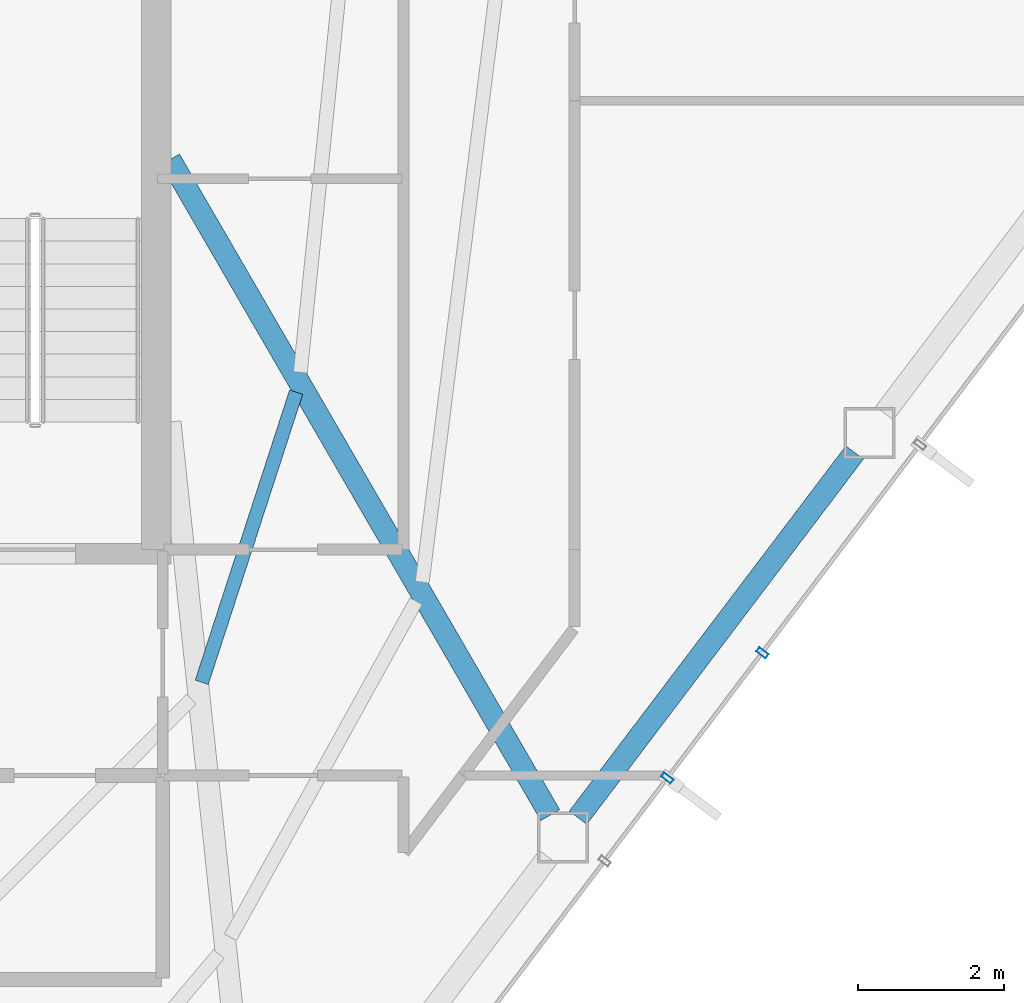
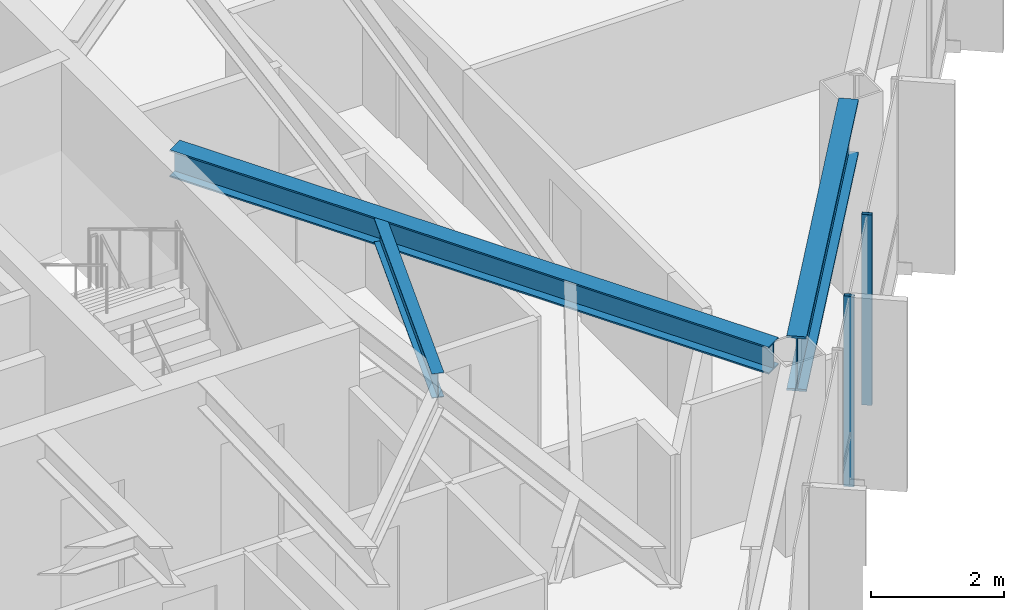
# One storey, part 18 of 27: 3 beams, 2 members, 1 element without a shape of its own.
"""IFC4 building model written with IfcOpenShell, lengths in metres."""

import ifcopenshell
import ifcopenshell.guid

model = None  # the IFC model being written
_history = None  # IfcOwnerHistory: only IFC2X3 demands one
_inside = {}  # id of a spatial element -> (the spatial element, [elements in it])
_under = {}  # id of a project, library or spatial element -> (it, [spatial elements below it])
_declared = {}  # id of a project -> (the project, [libraries it declares])
_typed = {}  # id of a type object -> (the type object, [elements of that type])
_made_of = {}  # id of a material, layer set ... -> (it, [elements and type objects made of it])


def new_model(schema):
    """Start an empty IFC model of exactly this schema.

    Asked for "IFC4X3", IfcOpenShell would pick the latest addendum, in which some entities
    have other attributes; the version numbers below select the first issue.
    IFC2X3 requires an IfcOwnerHistory on every rooted entity: one is made here for all.
    """
    global model, _history
    if schema == "IFC4X3":
        model = ifcopenshell.file(schema_version=(4, 3, 0, 0))
    else:
        model = ifcopenshell.file(schema=schema)
    _inside.clear()
    _under.clear()
    _declared.clear()
    _typed.clear()
    _made_of.clear()
    _history = None
    if model.schema == "IFC2X3":
        org = make("IfcOrganization", Name="unknown")
        user = make(
            "IfcPersonAndOrganization",
            ThePerson=make("IfcPerson", FamilyName="unknown"),
            TheOrganization=org,
        )
        app = make(
            "IfcApplication",
            ApplicationDeveloper=org,
            Version="unknown",
            ApplicationFullName="unknown",
            ApplicationIdentifier="unknown",
        )
        _history = make(
            "IfcOwnerHistory",
            OwningUser=user,
            OwningApplication=app,
            ChangeAction="ADDED",
            CreationDate=0,
        )
    return model


def make(cls, **values):
    """One entity of the class cls with the attributes given. An attribute that is None is left unset."""
    return model.create_entity(
        cls, **{name: value for name, value in values.items() if value is not None}
    )


def rooted(cls, **values):
    """An entity with a GlobalId (a new one), such as an element, a storey or a relation."""
    return make(cls, GlobalId=ifcopenshell.guid.new(), OwnerHistory=_history, **values)


def si_unit(unit_type, name, prefix=None):
    """IfcSIUnit, for example si_unit("LENGTHUNIT", "METRE", prefix="MILLI")."""
    return make("IfcSIUnit", UnitType=unit_type, Prefix=prefix, Name=name)


def assignment(units):
    """IfcUnitAssignment: the units of a project."""
    return None if units is None else make("IfcUnitAssignment", Units=units)


def point(xyz):
    """IfcCartesianPoint."""
    return None if xyz is None else make("IfcCartesianPoint", Coordinates=xyz)


def direction(xyz):
    """IfcDirection."""
    return None if xyz is None else make("IfcDirection", DirectionRatios=xyz)


def frame(location, z_axis=None, x_axis=None):
    """IfcAxis2Placement3D, a coordinate frame: its origin and axes. An axis left out is left unset."""
    return make(
        "IfcAxis2Placement3D",
        Location=point(location),
        Axis=direction(z_axis),
        RefDirection=direction(x_axis),
    )


def frame_2d(location, x_axis=None):
    """IfcAxis2Placement2D, a coordinate frame in the plane: its origin and x axis."""
    return make(
        "IfcAxis2Placement2D", Location=point(location), RefDirection=direction(x_axis)
    )


def origin():
    """The frame at (0, 0, 0) with its axes left unset."""
    return frame((0.0, 0.0, 0.0))


def origin_2d():
    """The frame at (0, 0) in the plane with its x axis left unset."""
    return frame_2d((0.0, 0.0))


def place(relative_to, where):
    """IfcLocalPlacement: puts the frame where relative to a parent placement (None: the world)."""
    return make(
        "IfcLocalPlacement", PlacementRelTo=relative_to, RelativePlacement=where
    )


def context(
    kind, dimensions, precision=None, world=None, true_north=None, identifier=None
):
    """IfcGeometricRepresentationContext, for example the 3D "Model" context."""
    return make(
        "IfcGeometricRepresentationContext",
        ContextIdentifier=identifier,
        ContextType=kind,
        CoordinateSpaceDimension=dimensions,
        Precision=precision,
        WorldCoordinateSystem=world,
        TrueNorth=true_north,
    )


def subcontext(parent, identifier, kind, view, scale=None):
    """IfcGeometricRepresentationSubContext, for example "Body" below "Model"."""
    return make(
        "IfcGeometricRepresentationSubContext",
        ContextIdentifier=identifier,
        ContextType=kind,
        ParentContext=parent,
        TargetScale=scale,
        TargetView=view,
    )


def project(units=None, contexts=None):
    """IfcProject with its units and contexts."""
    return rooted(
        "IfcProject",
        Name="project",
        RepresentationContexts=contexts,
        UnitsInContext=assignment(units),
    )


def spatial(cls, under=None, at=None, **own):
    """A site, building, storey or space (cls), placed at a placement, below another one or the project."""
    s = rooted(cls, ObjectPlacement=at, **own)
    if under is not None:
        _under.setdefault(under.id(), (under, []))[1].append(s)
    return s


def profile(cls, at=None, kind="AREA", **sizes):
    """A parametric profile (cls). Its sizes go by their IFC names, for example OverallWidth=200.0."""
    return make(cls, ProfileType=kind, Position=at, **sizes)


def hollow_rectangle(**sizes):
    """IfcRectangleHollowProfileDef."""
    return profile("IfcRectangleHollowProfileDef", **sizes)


def i_section(**sizes):
    """IfcIShapeProfileDef."""
    return profile("IfcIShapeProfileDef", **sizes)


def extrude(swept, where, along, depth):
    """IfcExtrudedAreaSolid: the profile swept, set in the frame where, extruded along a direction by depth."""
    return make(
        "IfcExtrudedAreaSolid",
        SweptArea=swept,
        Position=where,
        ExtrudedDirection=direction(along),
        Depth=depth,
    )


def shape(context_of_items, identifier, shape_type, items):
    """IfcShapeRepresentation: the items that make up one representation, for example the "Body"."""
    return make(
        "IfcShapeRepresentation",
        ContextOfItems=context_of_items,
        RepresentationIdentifier=identifier,
        RepresentationType=shape_type,
        Items=items,
    )


def material(Name=None, Category=None):
    """IfcMaterial."""
    return make("IfcMaterial", Name=Name, Category=Category)


def layer(
    of_material, thickness, ventilated=None, Name=None, Category=None, Priority=None
):
    """IfcMaterialLayer: one layer of a wall or slab, of a material (None: an air gap)."""
    return make(
        "IfcMaterialLayer",
        Material=of_material,
        LayerThickness=thickness,
        IsVentilated=ventilated,
        Name=Name,
        Category=Category,
        Priority=Priority,
    )


def layer_set(layers, Name=None):
    """IfcMaterialLayerSet."""
    return make("IfcMaterialLayerSet", MaterialLayers=layers, LayerSetName=Name)


def material_profile(
    of_material, cross_section, Name=None, Category=None, Priority=None
):
    """IfcMaterialProfile: a cross section and its material."""
    return make(
        "IfcMaterialProfile",
        Name=Name,
        Material=of_material,
        Profile=cross_section,
        Priority=Priority,
        Category=Category,
    )


def profile_set(profiles, Name=None, composite=None):
    """IfcMaterialProfileSet."""
    return make(
        "IfcMaterialProfileSet",
        Name=Name,
        MaterialProfiles=profiles,
        CompositeProfile=composite,
    )


def made_of(thing, what):
    """Note that an element or type object is made of a material, layer set ...; save() writes the relation."""
    if what is not None:
        _made_of.setdefault(what.id(), (what, []))[1].append(thing)
    return thing


def type_object(cls, material=None, **own):
    """A type object (cls), such as IfcWallType, which elements share."""
    return made_of(rooted(cls, **own), material)


def element(
    cls,
    number,
    at=None,
    inside=None,
    cuts=None,
    type_object=None,
    material=None,
    context=None,
    identifier="Body",
    shape_type=None,
    held_by="IfcProductDefinitionShape",
    body=None,
    shapes=None,
    **own,
):
    """One element of the class cls, such as IfcWall. Its Tag is "e" and its number.

    at: its placement. inside: the storey or other place that contains it. cuts: it is an
    opening in that element (IfcRelVoidsElement). A single representation is given by context,
    identifier, shape_type and body (its items); several are given by shapes. held_by: the class
    of the entity that holds the representations. save() writes the other relations.
    """
    e = rooted(cls, Tag="e%d" % number, ObjectPlacement=at, **own)
    if body is not None:
        shapes = [shape(context, identifier, shape_type, body)]
    if shapes is not None:
        e.Representation = make(held_by, Representations=shapes)
    if inside is not None:
        _inside.setdefault(inside.id(), (inside, []))[1].append(e)
    if cuts is not None:
        rooted(
            "IfcRelVoidsElement", RelatingBuildingElement=cuts, RelatedOpeningElement=e
        )
    if type_object is not None:
        _typed.setdefault(type_object.id(), (type_object, []))[1].append(e)
    return made_of(e, material)


def aggregate(whole, parts):
    """IfcRelAggregates: a whole, such as a stair, and the parts it consists of."""
    return rooted("IfcRelAggregates", RelatingObject=whole, RelatedObjects=parts)


def save(model, path):
    """Write the relations noted so far, then the file.

    IfcRelAggregates (storeys below a building ...), IfcRelContainedInSpatialStructure (elements
    in a storey), IfcRelDefinesByType, IfcRelAssociatesMaterial and IfcRelDeclares: one each for
    every whole, place, type object, material and project.
    """
    for whole, parts in _under.values():
        aggregate(whole, parts)
    for where, things in _inside.values():
        rooted(
            "IfcRelContainedInSpatialStructure",
            RelatedElements=things,
            RelatingStructure=where,
        )
    for kind, things in _typed.values():
        rooted("IfcRelDefinesByType", RelatedObjects=things, RelatingType=kind)
    for what, things in _made_of.values():
        rooted("IfcRelAssociatesMaterial", RelatedObjects=things, RelatingMaterial=what)
    for by, libraries in _declared.values():
        rooted("IfcRelDeclares", RelatingContext=by, RelatedDefinitions=libraries)
    model.write(path)


model = new_model("IFC4")

# Units and contexts
model_context = context("Model", 3, precision=1e-05, world=origin(), true_north=direction((0.0, 1.0)))
body_context = subcontext(model_context, "Body", "Model", "MODEL_VIEW")
ifc_project = project(units=[si_unit("LENGTHUNIT", "METRE"), si_unit("AREAUNIT", "SQUARE_METRE"), si_unit("VOLUMEUNIT", "CUBIC_METRE"), si_unit("PLANEANGLEUNIT", "RADIAN"), si_unit("MASSUNIT", "GRAM", prefix="KILO")], contexts=[model_context])

# Site, building, storey
site_placement = place(None, origin())
site = spatial("IfcSite", under=ifc_project, at=site_placement, CompositionType="ELEMENT")
building_placement = place(site_placement, origin())
building = spatial("IfcBuilding", under=site, at=building_placement, Name="Zarrinselat Tower", CompositionType="ELEMENT")
storey_placement = place(building_placement, frame((0.0, 0.0, 175.780029296875)))
storey = spatial("IfcBuildingStorey", under=building, at=storey_placement, Name="L43", CompositionType="ELEMENT", Elevation=175.780029296875)

# Beams
ifc_material_1 = material(Name="Steel S355J2", Category="steel")
ifc_material_profile_1 = material_profile(ifc_material_1, i_section(OverallWidth=0.300048828125, OverallDepth=0.5, WebThickness=0.014404296875, FlangeThickness=0.028076171875, at=origin_2d()), Name="HEB 500")
ifc_profile_set_1 = profile_set([ifc_material_profile_1], Name="Steel S355J2")
beam_type_1 = type_object("IfcBeamType", Name="BM-HEB500", PredefinedType="BEAM", material=ifc_profile_set_1)
beam_1_placement = place(storey_placement, frame((48.449951171875, 38.60009765625, 3.25), z_axis=(0.501674861783, -0.865056260052, 0.0), x_axis=(0.865056260052, 0.501674861783, 0.0)))
element("IfcBeam", 1, at=beam_1_placement, inside=storey, type_object=beam_type_1, Name="L43 Radial Primary Girder RG13", PredefinedType="BEAM", context=body_context, shape_type="SweptSolid", body=[
    extrude(i_section(OverallWidth=0.300048828125, OverallDepth=0.5, WebThickness=0.014404296875, FlangeThickness=0.028076171875, at=origin_2d()), origin(), (0.0, 0.0, 1.0), 10.396240234375),
])
ifc_material_2 = material(Name="Steel S460M", Category="steel")
ifc_material_profile_2 = material_profile(ifc_material_2, i_section(OverallWidth=0.302001953125, OverallDepth=1.008056640625, WebThickness=0.02099609375, FlangeThickness=0.0400390625, at=origin_2d()), Name="HEM 1000")
ifc_profile_set_2 = profile_set([ifc_material_profile_2], Name="Steel S460M")
beam_type_2 = type_object("IfcBeamType", Name="BM-HEM1000", PredefinedType="BEAM", material=ifc_profile_set_2)
beam_2_placement = place(storey_placement, frame((54.046142578125, 29.571533203125, 2.995849609375), z_axis=(0.603846469555, 0.797100646849, 0.0), x_axis=(-0.797100646849, 0.603846469555, 0.0)))
element("IfcBeam", 2, at=beam_2_placement, inside=storey, type_object=beam_type_2, Name="L43 Perimeter Spandrel Girder SP13", PredefinedType="BEAM", context=body_context, shape_type="SweptSolid", body=[
    extrude(i_section(OverallWidth=0.302001953125, OverallDepth=1.008056640625, WebThickness=0.02099609375, FlangeThickness=0.0400390625, at=origin_2d()), origin(), (0.0, 0.0, 1.0), 6.284912109375),
])
ifc_material_3 = material(Name="Steel S355J2", Category="steel")
ifc_material_profile_3 = material_profile(ifc_material_3, i_section(OverallWidth=0.18994140625, OverallDepth=0.449951171875, WebThickness=0.009521484375, FlangeThickness=0.0146484375, at=origin_2d()), Name="IPE 450")
ifc_profile_set_3 = profile_set([ifc_material_profile_3], Name="Steel S355J2")
beam_type_3 = type_object("IfcBeamType", Name="BM-IPE450", PredefinedType="JOIST", material=ifc_profile_set_3)
beam_3_placement = place(storey_placement, frame((48.885009765625, 31.428466796875, 3.27490234375), z_axis=(0.309343221299, 0.950950456878, 0.0), x_axis=(-0.950950456878, 0.309343221299, 0.0)))
element("IfcBeam", 3, at=beam_3_placement, inside=storey, type_object=beam_type_3, Name="L43 Composite Floor Joist 4-2", PredefinedType="JOIST", context=body_context, shape_type="SweptSolid", body=[
    extrude(i_section(OverallWidth=0.18994140625, OverallDepth=0.449951171875, WebThickness=0.009521484375, FlangeThickness=0.0146484375, at=origin_2d()), origin(), (0.0, 0.0, 1.0), 4.18603515625),
])

# Curtain wall, members
ifc_material_4 = material(Name="Extruded Aluminium Alloy EN AW-6063 T6", Category="aluminium")
ifc_layer = layer(ifc_material_4, 0.175048828125)
ifc_layer_set = layer_set([ifc_layer], Name="Extruded Aluminium Alloy EN AW-6063 T6")
curtain_wall_type = type_object("IfcCurtainWallType", Name="CWS-HTL", PredefinedType="NOTDEFINED", material=ifc_layer_set)
curtain_wall_placement = place(storey_placement, origin())
curtain_wall = element("IfcCurtainWall", 4, at=curtain_wall_placement, inside=storey, type_object=curtain_wall_type, Name="L43 Unitised Curtain Wall CW-L43-E05", PredefinedType="NOTDEFINED")
ifc_material_5 = material(Name="Extruded Aluminium Alloy EN AW-6063 T6", Category="aluminium")
ifc_material_profile_4 = material_profile(ifc_material_5, hollow_rectangle(XDim=0.070068359375, YDim=0.159912109375, WallThickness=0.00390625, at=origin_2d()), Name="RHS 160x70x4")
ifc_profile_set_4 = profile_set([ifc_material_profile_4], Name="Extruded Aluminium Alloy EN AW-6063 T6")
member_type = type_object("IfcMemberType", Name="MEM-CW-MUL2", PredefinedType="MULLION", material=ifc_profile_set_4)
member_1_placement = place(storey_placement, frame((55.2724609375, 30.11376953125, 0.0), z_axis=(0.0, 0.0, 1.0), x_axis=(0.603859165965, 0.797091028478, 0.0)))
member_1 = element("IfcMember", 5, at=member_1_placement, type_object=member_type, Name="CW-L43-E05 Mullion 5", PredefinedType="MULLION", context=body_context, shape_type="SweptSolid", body=[
    extrude(hollow_rectangle(XDim=0.070068359375, YDim=0.159912109375, WallThickness=0.00390625, at=origin_2d()), origin(), (0.0, 0.0, 1.0), 3.5),
])
member_2_placement = place(storey_placement, frame((56.57470703125, 31.83251953125, 0.0), z_axis=(0.0, 0.0, 1.0), x_axis=(0.603859165965, 0.797091028478, 0.0)))
member_2 = element("IfcMember", 6, at=member_2_placement, type_object=member_type, Name="CW-L43-E05 Mullion 6", PredefinedType="MULLION", context=body_context, shape_type="SweptSolid", body=[
    extrude(hollow_rectangle(XDim=0.070068359375, YDim=0.159912109375, WallThickness=0.00390625, at=origin_2d()), origin(), (0.0, 0.0, 1.0), 3.5),
])
aggregate(curtain_wall, [member_1, member_2])

save(model, "model.ifc")
